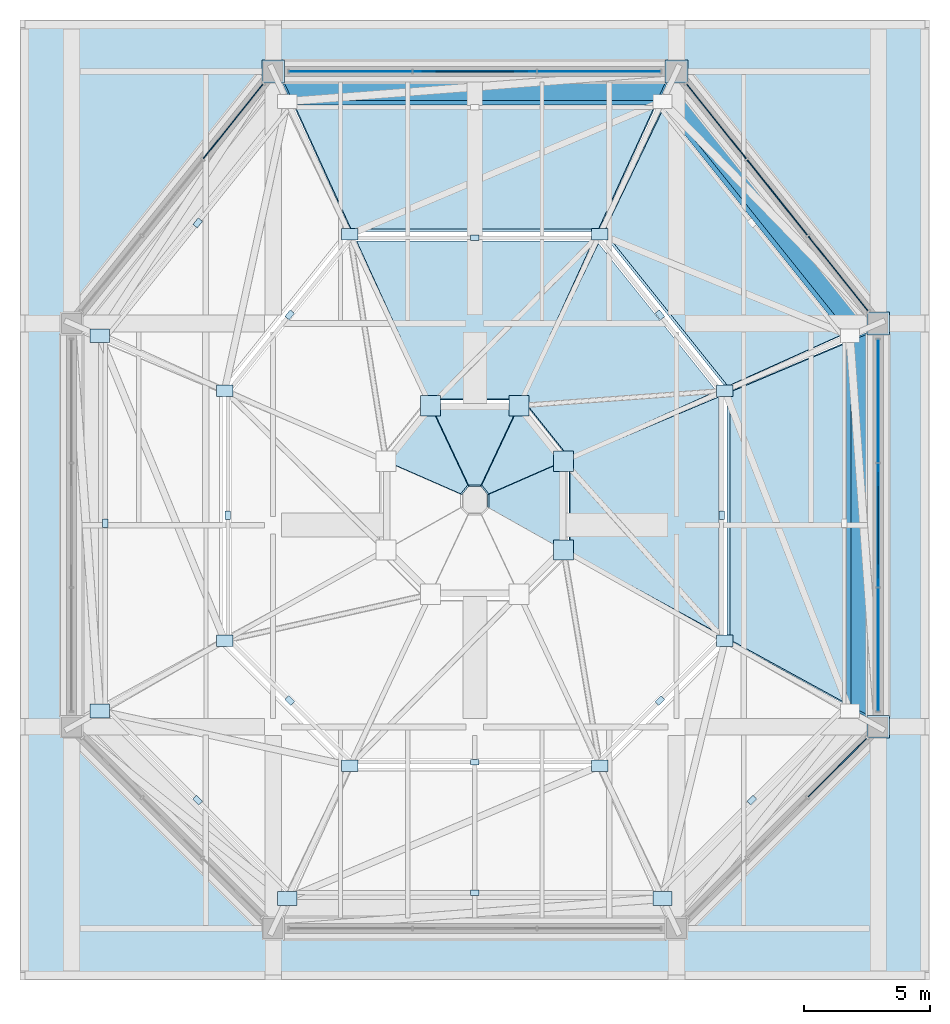
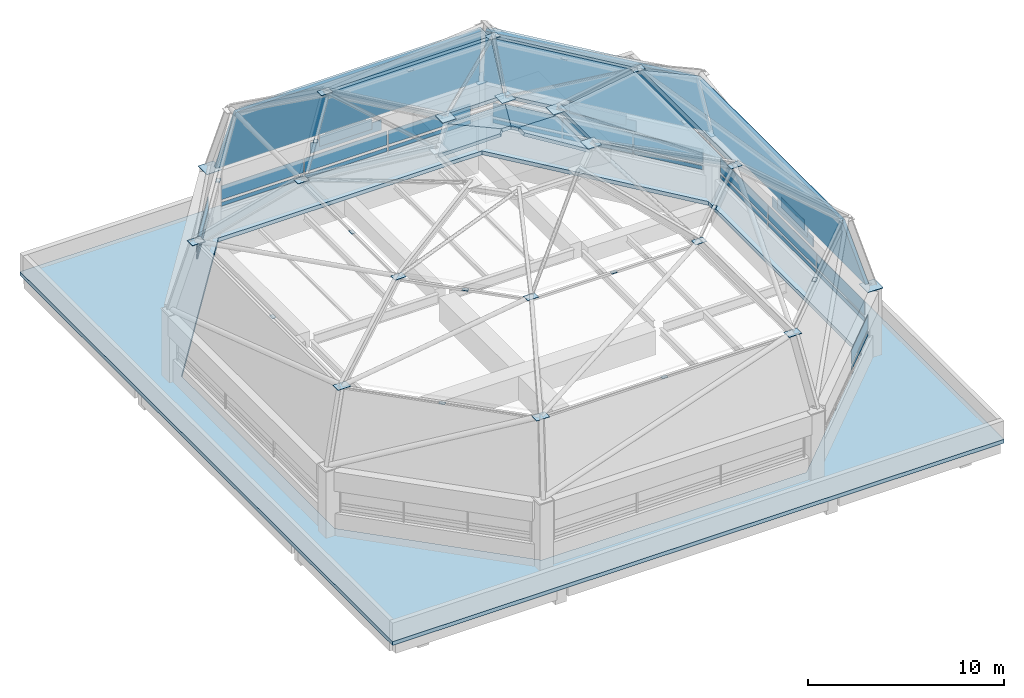
# One storey, part 9 of 10: 64 plates, 14 slabs, 5 elements without a shape of their own.
"""IFC4 building model written with IfcOpenShell, lengths in metres."""

from ifc_helpers import new_model, si_unit, direction, frame, origin, origin_2d, place, context, subcontext, project, spatial, polyline, rectangle, outline, extrude, material, layer, layer_set, type_object, element, aggregate, save


model = new_model("IFC4")

# Units and contexts
model_context = context("Model", 3, precision=1e-05, world=origin(), true_north=direction((0.0, 1.0)))
body_context = subcontext(model_context, "Body", "Model", "MODEL_VIEW")
ifc_project = project(units=[si_unit("LENGTHUNIT", "METRE"), si_unit("AREAUNIT", "SQUARE_METRE"), si_unit("VOLUMEUNIT", "CUBIC_METRE"), si_unit("PLANEANGLEUNIT", "RADIAN"), si_unit("MASSUNIT", "GRAM", prefix="KILO")], contexts=[model_context])

# Site, building, storey
site_placement = place(None, origin())
site = spatial("IfcSite", under=ifc_project, at=site_placement, CompositionType="ELEMENT")
building_placement = place(site_placement, origin())
building = spatial("IfcBuilding", under=site, at=building_placement, Name="Pecanmere Concourse Central Library", CompositionType="ELEMENT")
storey_placement = place(building_placement, frame((0.0, 0.0, 34.800048828125)))
storey = spatial("IfcBuildingStorey", under=building, at=storey_placement, Name="ROOF", CompositionType="ELEMENT", Elevation=34.800048828125)

# Curtain wall, plates
ifc_material_1 = material(Name="Anodized bronze aluminium alloy 6063-T6", Category="aluminium")
curtain_wall_type = type_object("IfcCurtainWallType", Name="CW_PORTAL_CLEAR", PredefinedType="USERDEFINED", material=ifc_material_1)
curtain_wall_1_placement = place(storey_placement, origin())
curtain_wall_1 = element("IfcCurtainWall", 1, at=curtain_wall_1_placement, inside=storey, type_object=curtain_wall_type, Name="Unitised Curtain Wall CW-03 ROOF-174", ObjectType="UNITISED CURTAIN WALL", PredefinedType="USERDEFINED")
ifc_material_2 = material(Name="White ceramic-fritted insulated spandrel glazing", Category="glass")
ifc_layer_1 = layer(ifc_material_2, 0.053955078125, Name="CWP_SPN_54")
ifc_layer_set_1 = layer_set([ifc_layer_1], Name="White ceramic-fritted insulated spandrel glazing")
plate_type_1 = type_object("IfcPlateType", Name="CWP_SPN_54", PredefinedType="CURTAIN_PANEL", material=ifc_layer_set_1)
plate_1_placement = place(storey_placement, frame((102.3818359375, 96.3818359375, 1.580078125), z_axis=(0.0, 0.0, 1.0), x_axis=(0.707106781187, 0.707106781187, 0.0)))
plate_1 = element("IfcPlate", 2, at=plate_1_placement, type_object=plate_type_1, Name="CW-03 Spandrel Panel 3.1", PredefinedType="CURTAIN_PANEL", context=body_context, shape_type="SweptSolid", body=[
    extrude(rectangle(XDim=3.287109375, YDim=0.035888671875, at=origin_2d()), origin(), (0.0, 0.0, 1.0), 0.239990234375),
])
plate_2_placement = place(storey_placement, frame((102.3818359375, 96.3818359375, 1.97998046875), z_axis=(0.0, 0.0, 1.0), x_axis=(0.707106781187, 0.707106781187, 0.0)))
plate_2 = element("IfcPlate", 3, at=plate_2_placement, type_object=plate_type_1, Name="CW-03 Spandrel Panel 3.2", PredefinedType="CURTAIN_PANEL", context=body_context, shape_type="SweptSolid", body=[
    extrude(rectangle(XDim=3.287109375, YDim=0.035888671875, at=origin_2d()), origin(), (0.0, 0.0, 1.0), 0.860107421875),
])
aggregate(curtain_wall_1, [plate_1, plate_2])

curtain_wall_2_placement = place(storey_placement, origin())
curtain_wall_2 = element("IfcCurtainWall", 4, at=curtain_wall_2_placement, inside=storey, type_object=curtain_wall_type, Name="Unitised Curtain Wall CW-03 ROOF-175", ObjectType="UNITISED CURTAIN WALL", PredefinedType="USERDEFINED")
plate_3_placement = place(storey_placement, frame((104.0, 101.069580078125, 1.580078125), z_axis=(0.0, 0.0, 1.0), x_axis=(0.0, 1.0, 0.0)))
plate_3 = element("IfcPlate", 5, at=plate_3_placement, type_object=plate_type_1, Name="CW-03 Spandrel Panel 1.1", PredefinedType="CURTAIN_PANEL", context=body_context, shape_type="SweptSolid", body=[
    extrude(rectangle(XDim=4.84912109375, YDim=0.035888671875, at=origin_2d()), origin(), (0.0, 0.0, 1.0), 0.239990234375),
])
plate_4_placement = place(storey_placement, frame((104.0, 101.069580078125, 1.97998046875), z_axis=(0.0, 0.0, 1.0), x_axis=(0.0, 1.0, 0.0)))
plate_4 = element("IfcPlate", 6, at=plate_4_placement, type_object=plate_type_1, Name="CW-03 Spandrel Panel 1.2", PredefinedType="CURTAIN_PANEL", context=body_context, shape_type="SweptSolid", body=[
    extrude(rectangle(XDim=4.84912109375, YDim=0.035888671875, at=origin_2d()), origin(), (0.0, 0.0, 1.0), 0.860107421875),
])
plate_5_placement = place(storey_placement, frame((104.0, 106.0, 1.580078125), z_axis=(0.0, 0.0, 1.0), x_axis=(0.0, 1.0, 0.0)))
plate_5 = element("IfcPlate", 7, at=plate_5_placement, type_object=plate_type_1, Name="CW-03 Spandrel Panel 2.1", PredefinedType="CURTAIN_PANEL", context=body_context, shape_type="SweptSolid", body=[
    extrude(rectangle(XDim=4.881591796875, YDim=0.035888671875, at=origin_2d()), origin(), (0.0, 0.0, 1.0), 0.239990234375),
])
plate_6_placement = place(storey_placement, frame((104.0, 106.0, 1.97998046875), z_axis=(0.0, 0.0, 1.0), x_axis=(0.0, 1.0, 0.0)))
plate_6 = element("IfcPlate", 8, at=plate_6_placement, type_object=plate_type_1, Name="CW-03 Spandrel Panel 2.2", PredefinedType="CURTAIN_PANEL", context=body_context, shape_type="SweptSolid", body=[
    extrude(rectangle(XDim=4.881591796875, YDim=0.035888671875, at=origin_2d()), origin(), (0.0, 0.0, 1.0), 0.860107421875),
])
plate_7_placement = place(storey_placement, frame((104.0, 110.930419921875, 1.580078125), z_axis=(0.0, 0.0, 1.0), x_axis=(0.0, 1.0, 0.0)))
plate_7 = element("IfcPlate", 9, at=plate_7_placement, type_object=plate_type_1, Name="CW-03 Spandrel Panel 3.1", PredefinedType="CURTAIN_PANEL", context=body_context, shape_type="SweptSolid", body=[
    extrude(rectangle(XDim=4.84912109375, YDim=0.035888671875, at=origin_2d()), origin(), (0.0, 0.0, 1.0), 0.239990234375),
])
plate_8_placement = place(storey_placement, frame((104.0, 110.930419921875, 1.97998046875), z_axis=(0.0, 0.0, 1.0), x_axis=(0.0, 1.0, 0.0)))
plate_8 = element("IfcPlate", 10, at=plate_8_placement, type_object=plate_type_1, Name="CW-03 Spandrel Panel 3.2", PredefinedType="CURTAIN_PANEL", context=body_context, shape_type="SweptSolid", body=[
    extrude(rectangle(XDim=4.84912109375, YDim=0.035888671875, at=origin_2d()), origin(), (0.0, 0.0, 1.0), 0.860107421875),
])
aggregate(curtain_wall_2, [plate_3, plate_4, plate_5, plate_6, plate_7, plate_8])

curtain_wall_3_placement = place(storey_placement, origin())
curtain_wall_3 = element("IfcCurtainWall", 11, at=curtain_wall_3_placement, inside=storey, type_object=curtain_wall_type, Name="Unitised Curtain Wall CW-03 ROOF-176", ObjectType="UNITISED CURTAIN WALL", PredefinedType="USERDEFINED")
plate_9_placement = place(storey_placement, frame((102.4150390625, 115.981201171875, 1.580078125), z_axis=(0.0, 0.0, 1.0), x_axis=(-0.62469714181, 0.780867134034, 0.0)))
plate_9 = element("IfcPlate", 12, at=plate_9_placement, type_object=plate_type_1, Name="CW-03 Spandrel Panel 1.1", PredefinedType="CURTAIN_PANEL", context=body_context, shape_type="SweptSolid", body=[
    extrude(rectangle(XDim=3.78466796875, YDim=0.035888671875, at=origin_2d()), origin(), (0.0, 0.0, 1.0), 0.239990234375),
])
plate_10_placement = place(storey_placement, frame((102.4150390625, 115.981201171875, 1.97998046875), z_axis=(0.0, 0.0, 1.0), x_axis=(-0.62469714181, 0.780867134034, 0.0)))
plate_10 = element("IfcPlate", 13, at=plate_10_placement, type_object=plate_type_1, Name="CW-03 Spandrel Panel 1.2", PredefinedType="CURTAIN_PANEL", context=body_context, shape_type="SweptSolid", body=[
    extrude(rectangle(XDim=3.78466796875, YDim=0.035888671875, at=origin_2d()), origin(), (0.0, 0.0, 1.0), 0.860107421875),
])
plate_11_placement = place(storey_placement, frame((100.0, 119.0, 1.580078125), z_axis=(0.0, 0.0, 1.0), x_axis=(-0.62469714181, 0.780867134034, 0.0)))
plate_11 = element("IfcPlate", 14, at=plate_11_placement, type_object=plate_type_1, Name="CW-03 Spandrel Panel 2.1", PredefinedType="CURTAIN_PANEL", context=body_context, shape_type="SweptSolid", body=[
    extrude(rectangle(XDim=3.817138671875, YDim=0.035888671875, at=origin_2d()), origin(), (0.0, 0.0, 1.0), 0.239990234375),
])
plate_12_placement = place(storey_placement, frame((100.0, 119.0, 1.97998046875), z_axis=(0.0, 0.0, 1.0), x_axis=(-0.62469714181, 0.780867134034, 0.0)))
plate_12 = element("IfcPlate", 15, at=plate_12_placement, type_object=plate_type_1, Name="CW-03 Spandrel Panel 2.2", PredefinedType="CURTAIN_PANEL", context=body_context, shape_type="SweptSolid", body=[
    extrude(rectangle(XDim=3.817138671875, YDim=0.035888671875, at=origin_2d()), origin(), (0.0, 0.0, 1.0), 0.860107421875),
])
plate_13_placement = place(storey_placement, frame((97.5849609375, 122.018798828125, 1.580078125), z_axis=(0.0, 0.0, 1.0), x_axis=(-0.62469714181, 0.780867134034, 0.0)))
plate_13 = element("IfcPlate", 16, at=plate_13_placement, type_object=plate_type_1, Name="CW-03 Spandrel Panel 3.1", PredefinedType="CURTAIN_PANEL", context=body_context, shape_type="SweptSolid", body=[
    extrude(rectangle(XDim=3.78466796875, YDim=0.035888671875, at=origin_2d()), origin(), (0.0, 0.0, 1.0), 0.239990234375),
])
plate_14_placement = place(storey_placement, frame((97.5849609375, 122.018798828125, 1.97998046875), z_axis=(0.0, 0.0, 1.0), x_axis=(-0.62469714181, 0.780867134034, 0.0)))
plate_14 = element("IfcPlate", 17, at=plate_14_placement, type_object=plate_type_1, Name="CW-03 Spandrel Panel 3.2", PredefinedType="CURTAIN_PANEL", context=body_context, shape_type="SweptSolid", body=[
    extrude(rectangle(XDim=3.78466796875, YDim=0.035888671875, at=origin_2d()), origin(), (0.0, 0.0, 1.0), 0.860107421875),
])
aggregate(curtain_wall_3, [plate_9, plate_10, plate_11, plate_12, plate_13, plate_14])

curtain_wall_4_placement = place(storey_placement, origin())
curtain_wall_4 = element("IfcCurtainWall", 18, at=curtain_wall_4_placement, inside=storey, type_object=curtain_wall_type, Name="Unitised Curtain Wall CW-03 ROOF-177", ObjectType="UNITISED CURTAIN WALL", PredefinedType="USERDEFINED")
plate_15_placement = place(storey_placement, frame((92.930419921875, 124.0, 1.580078125), z_axis=(0.0, 0.0, 1.0), x_axis=(-1.0, 0.0, 0.0)))
plate_15 = element("IfcPlate", 19, at=plate_15_placement, type_object=plate_type_1, Name="CW-03 Spandrel Panel 1.1", PredefinedType="CURTAIN_PANEL", context=body_context, shape_type="SweptSolid", body=[
    extrude(rectangle(XDim=4.84912109375, YDim=0.035888671875, at=origin_2d()), origin(), (0.0, 0.0, 1.0), 0.239990234375),
])
plate_16_placement = place(storey_placement, frame((92.930419921875, 124.0, 1.97998046875), z_axis=(0.0, 0.0, 1.0), x_axis=(-1.0, 0.0, 0.0)))
plate_16 = element("IfcPlate", 20, at=plate_16_placement, type_object=plate_type_1, Name="CW-03 Spandrel Panel 1.2", PredefinedType="CURTAIN_PANEL", context=body_context, shape_type="SweptSolid", body=[
    extrude(rectangle(XDim=4.84912109375, YDim=0.035888671875, at=origin_2d()), origin(), (0.0, 0.0, 1.0), 0.860107421875),
])
plate_17_placement = place(storey_placement, frame((88.0, 124.0, 1.580078125), z_axis=(0.0, 0.0, 1.0), x_axis=(-1.0, 0.0, 0.0)))
plate_17 = element("IfcPlate", 21, at=plate_17_placement, type_object=plate_type_1, Name="CW-03 Spandrel Panel 2.1", PredefinedType="CURTAIN_PANEL", context=body_context, shape_type="SweptSolid", body=[
    extrude(rectangle(XDim=4.881591796875, YDim=0.035888671875, at=origin_2d()), origin(), (0.0, 0.0, 1.0), 0.239990234375),
])
plate_18_placement = place(storey_placement, frame((88.0, 124.0, 1.97998046875), z_axis=(0.0, 0.0, 1.0), x_axis=(-1.0, 0.0, 0.0)))
plate_18 = element("IfcPlate", 22, at=plate_18_placement, type_object=plate_type_1, Name="CW-03 Spandrel Panel 2.2", PredefinedType="CURTAIN_PANEL", context=body_context, shape_type="SweptSolid", body=[
    extrude(rectangle(XDim=4.881591796875, YDim=0.035888671875, at=origin_2d()), origin(), (0.0, 0.0, 1.0), 0.860107421875),
])
plate_19_placement = place(storey_placement, frame((83.069580078125, 124.0, 1.580078125), z_axis=(0.0, 0.0, 1.0), x_axis=(-1.0, 0.0, 0.0)))
plate_19 = element("IfcPlate", 23, at=plate_19_placement, type_object=plate_type_1, Name="CW-03 Spandrel Panel 3.1", PredefinedType="CURTAIN_PANEL", context=body_context, shape_type="SweptSolid", body=[
    extrude(rectangle(XDim=4.84912109375, YDim=0.035888671875, at=origin_2d()), origin(), (0.0, 0.0, 1.0), 0.239990234375),
])
plate_20_placement = place(storey_placement, frame((83.069580078125, 124.0, 1.97998046875), z_axis=(0.0, 0.0, 1.0), x_axis=(-1.0, 0.0, 0.0)))
plate_20 = element("IfcPlate", 24, at=plate_20_placement, type_object=plate_type_1, Name="CW-03 Spandrel Panel 3.2", PredefinedType="CURTAIN_PANEL", context=body_context, shape_type="SweptSolid", body=[
    extrude(rectangle(XDim=4.84912109375, YDim=0.035888671875, at=origin_2d()), origin(), (0.0, 0.0, 1.0), 0.860107421875),
])
aggregate(curtain_wall_4, [plate_15, plate_16, plate_17, plate_18, plate_19, plate_20])

curtain_wall_5_placement = place(storey_placement, origin())
curtain_wall_5 = element("IfcCurtainWall", 25, at=curtain_wall_5_placement, inside=storey, type_object=curtain_wall_type, Name="Unitised Curtain Wall CW-03 ROOF-178", ObjectType="UNITISED CURTAIN WALL", PredefinedType="USERDEFINED")
plate_21_placement = place(storey_placement, frame((78.4150390625, 122.018798828125, 1.580078125), z_axis=(0.0, 0.0, 1.0), x_axis=(-0.62469714181, -0.780867134034, 0.0)))
plate_21 = element("IfcPlate", 26, at=plate_21_placement, type_object=plate_type_1, Name="CW-03 Spandrel Panel 1.1", PredefinedType="CURTAIN_PANEL", context=body_context, shape_type="SweptSolid", body=[
    extrude(rectangle(XDim=3.78466796875, YDim=0.035888671875, at=origin_2d()), origin(), (0.0, 0.0, 1.0), 0.239990234375),
])
plate_22_placement = place(storey_placement, frame((78.4150390625, 122.018798828125, 1.97998046875), z_axis=(0.0, 0.0, 1.0), x_axis=(-0.62469714181, -0.780867134034, 0.0)))
plate_22 = element("IfcPlate", 27, at=plate_22_placement, type_object=plate_type_1, Name="CW-03 Spandrel Panel 1.2", PredefinedType="CURTAIN_PANEL", context=body_context, shape_type="SweptSolid", body=[
    extrude(rectangle(XDim=3.78466796875, YDim=0.035888671875, at=origin_2d()), origin(), (0.0, 0.0, 1.0), 0.860107421875),
])
aggregate(curtain_wall_5, [plate_21, plate_22])

# Plates
ifc_material_3 = material(Name="Architectural standing-seam copper")
ifc_layer_2 = layer(ifc_material_3, 0.044921875, Name="PLT_DOME_COPPER_1")
ifc_layer_set_2 = layer_set([ifc_layer_2], Name="Architectural standing-seam copper")
plate_type_2 = type_object("IfcPlateType", Name="PLT_DOME_COPPER_1", PredefinedType="USERDEFINED", material=ifc_layer_set_2)
for number, where, z_axis, x_axis, name in (
    (28, (104.0, 106.0, 3.02490234375), (0.0, 0.0, 1.0), (0.0, 1.0, 0.0), "Drum Copper Frieze Panel 0.3"),
    (29, (100.0, 119.0, 3.02490234375), (0.0, 0.0, 1.0), (-0.624697660804, 0.780866718836, 0.0), "Drum Copper Frieze Panel 0.4"),
    (30, (88.0, 124.0, 3.02490234375), (0.0, 0.0, 1.0), (-1.0, 0.0, 0.0), "Drum Copper Frieze Panel 0.5"),
):
    element("IfcPlate", number, at=place(storey_placement, frame(where, z_axis=z_axis, x_axis=x_axis)), inside=storey, type_object=plate_type_2, Name=name, ObjectType="ROOF PANEL", PredefinedType="USERDEFINED", context=body_context, shape_type="SweptSolid", body=[
        extrude(rectangle(XDim=4.199951171875, YDim=0.044921875, at=origin_2d()), origin(), (0.0, 0.0, 1.0), 0.64990234375),
    ])
ifc_material_4 = material(Name="Architectural standing-seam copper")
ifc_layer_3 = layer(ifc_material_4, 0.044921875, Name="PLT_DOME_COPPER_2")
ifc_layer_set_3 = layer_set([ifc_layer_3], Name="Architectural standing-seam copper")
plate_type_3 = type_object("IfcPlateType", Name="PLT_DOME_COPPER_2", PredefinedType="USERDEFINED", material=ifc_layer_set_3)
for number, where, z_axis, x_axis, name in (
    (31, (104.0, 106.0, 3.27490234375), (0.0, 0.0, 1.0), (0.0, 1.0, 0.0), "Drum Copper Frieze Panel 1.3"),
    (32, (100.0, 119.0, 3.27490234375), (0.0, 0.0, 1.0), (-0.624697660804, 0.780866718836, 0.0), "Drum Copper Frieze Panel 1.4"),
    (33, (88.0, 124.0, 3.27490234375), (0.0, 0.0, 1.0), (-1.0, 0.0, 0.0), "Drum Copper Frieze Panel 1.5"),
):
    element("IfcPlate", number, at=place(storey_placement, frame(where, z_axis=z_axis, x_axis=x_axis)), inside=storey, type_object=plate_type_3, Name=name, ObjectType="ROOF PANEL", PredefinedType="USERDEFINED", context=body_context, shape_type="SweptSolid", body=[
        extrude(rectangle(XDim=3.10009765625, YDim=0.044921875, at=origin_2d()), origin(), (0.0, 0.0, 1.0), 0.64990234375),
    ])
ifc_material_5 = material(Name="Architectural standing-seam copper")
ifc_layer_4 = layer(ifc_material_5, 0.0400390625, Name="PLT_DOME_COPPER_3")
ifc_layer_set_4 = layer_set([ifc_layer_4], Name="Architectural standing-seam copper")
plate_type_4 = type_object("IfcPlateType", Name="PLT_DOME_COPPER_3", PredefinedType="USERDEFINED", material=ifc_layer_set_4)
for number, where, z_axis, x_axis, name in (
    (34, (104.0, 106.0, 3.52490234375), (0.0, 0.0, 1.0), (0.0, 1.0, 0.0), "Drum Copper Frieze Panel 2.3"),
    (35, (100.0, 119.0, 3.52490234375), (0.0, 0.0, 1.0), (-0.624697660804, 0.780866718836, 0.0), "Drum Copper Frieze Panel 2.4"),
    (36, (88.0, 124.0, 3.52490234375), (0.0, 0.0, 1.0), (-1.0, 0.0, 0.0), "Drum Copper Frieze Panel 2.5"),
):
    element("IfcPlate", number, at=place(storey_placement, frame(where, z_axis=z_axis, x_axis=x_axis)), inside=storey, type_object=plate_type_4, Name=name, ObjectType="ROOF PANEL", PredefinedType="USERDEFINED", context=body_context, shape_type="SweptSolid", body=[
        extrude(rectangle(XDim=2.39990234375, YDim=0.0400390625, at=origin_2d()), origin(), (0.0, 0.0, 1.0), 0.64990234375),
    ])
ifc_material_6 = material(Name="Structural steel ASTM A572 Grade 50", Category="steel")
ifc_layer_5 = layer(ifc_material_6, 0.031982421875, Name="PLT_DOME_NODE_1")
ifc_layer_set_5 = layer_set([ifc_layer_5], Name="Structural steel ASTM A572 Grade 50")
plate_type_5 = type_object("IfcPlateType", Name="PLT_DOME_NODE_1", PredefinedType="SHEET", material=ifc_layer_set_5)
for number, where, z_axis, x_axis, name in (
    (37, (104.0, 98.0, 4.16796875), (0.0, 0.0, 1.0), (1.0, 0.0, 0.0), "Dome Rib Node Connection Plate 3.0"),
    (38, (104.0, 114.0, 4.16796875), (0.0, 0.0, 1.0), (1.0, 0.0, 0.0), "Dome Rib Node Connection Plate 4.0"),
    (39, (96.0, 124.0, 4.16796875), (0.0, 0.0, 1.0), (1.0, 0.0, 0.0), "Dome Rib Node Connection Plate 5.0"),
    (40, (80.0, 124.0, 4.16796875), (0.0, 0.0, 1.0), (1.0, 0.0, 0.0), "Dome Rib Node Connection Plate 6.0"),
):
    element("IfcPlate", number, at=place(storey_placement, frame(where, z_axis=z_axis, x_axis=x_axis)), inside=storey, type_object=plate_type_5, Name=name, PredefinedType="SHEET", context=body_context, shape_type="SweptSolid", body=[
        extrude(rectangle(XDim=0.89990234375, YDim=0.89990234375, at=origin_2d()), origin(), (0.0, 0.0, 1.0), 0.031982421875),
    ])
ifc_material_7 = material(Name="Structural steel ASTM A572 Grade 50", Category="steel")
ifc_layer_6 = layer(ifc_material_7, 0.028076171875, Name="PLT_DOME_NODE_2")
ifc_layer_set_6 = layer_set([ifc_layer_6], Name="Structural steel ASTM A572 Grade 50")
plate_type_6 = type_object("IfcPlateType", Name="PLT_DOME_NODE_2", PredefinedType="SHEET", material=ifc_layer_set_6)
for number, where, z_axis, x_axis, name in (
    (41, (80.56005859375, 91.18994140625, 8.3720703125), (0.0, 0.0, 1.0), (1.0, 0.0, 0.0), "Dome Rib Node Connection Plate 1.1"),
    (42, (95.43994140625, 91.18994140625, 8.3720703125), (0.0, 0.0, 1.0), (1.0, 0.0, 0.0), "Dome Rib Node Connection Plate 2.1"),
    (43, (73.1201171875, 113.510009765625, 8.3720703125), (0.0, 0.0, 1.0), (1.0, 0.0, 0.0), "Dome Rib Node Connection Plate 7.1"),
    (44, (73.1201171875, 98.6298828125, 8.3720703125), (0.0, 0.0, 1.0), (1.0, 0.0, 0.0), "Dome Rib Node Connection Plate 8.1"),
):
    element("IfcPlate", number, at=place(storey_placement, frame(where, z_axis=z_axis, x_axis=x_axis)), inside=storey, type_object=plate_type_6, Name=name, PredefinedType="SHEET", context=body_context, shape_type="SweptSolid", body=[
        extrude(rectangle(XDim=0.760009765625, YDim=0.5400390625, at=origin_2d()), origin(), (0.0, 0.0, 1.0), 0.028076171875),
    ])
ifc_material_8 = material(Name="Structural steel ASTM A572 Grade 50", Category="steel")
ifc_layer_7 = layer(ifc_material_8, 0.02490234375, Name="PLT_DOME_NODE_3")
ifc_layer_set_7 = layer_set([ifc_layer_7], Name="Structural steel ASTM A572 Grade 50")
plate_type_7 = type_object("IfcPlateType", Name="PLT_DOME_NODE_3", PredefinedType="SHEET", material=ifc_layer_set_7)
for number, where, z_axis, x_axis, name in (
    (45, (83.0400390625, 96.4599609375, 11.77490234375), (0.0, 0.0, 1.0), (1.0, 0.0, 0.0), "Dome Rib Node Connection Plate 1.2"),
    (46, (92.9599609375, 96.4599609375, 11.77490234375), (0.0, 0.0, 1.0), (1.0, 0.0, 0.0), "Dome Rib Node Connection Plate 2.2"),
    (47, (97.919921875, 101.419921875, 11.77490234375), (0.0, 0.0, 1.0), (1.0, 0.0, 0.0), "Dome Rib Node Connection Plate 3.2"),
    (48, (97.919921875, 111.340087890625, 11.77490234375), (0.0, 0.0, 1.0), (1.0, 0.0, 0.0), "Dome Rib Node Connection Plate 4.2"),
    (49, (92.9599609375, 117.5400390625, 11.77490234375), (0.0, 0.0, 1.0), (1.0, 0.0, 0.0), "Dome Rib Node Connection Plate 5.2"),
    (50, (83.0400390625, 117.5400390625, 11.77490234375), (0.0, 0.0, 1.0), (1.0, 0.0, 0.0), "Dome Rib Node Connection Plate 6.2"),
    (51, (78.080078125, 111.340087890625, 11.77490234375), (0.0, 0.0, 1.0), (1.0, 0.0, 0.0), "Dome Rib Node Connection Plate 7.2"),
    (52, (78.080078125, 101.419921875, 11.77490234375), (0.0, 0.0, 1.0), (1.0, 0.0, 0.0), "Dome Rib Node Connection Plate 8.2"),
):
    element("IfcPlate", number, at=place(storey_placement, frame(where, z_axis=z_axis, x_axis=x_axis)), inside=storey, type_object=plate_type_7, Name=name, PredefinedType="SHEET", context=body_context, shape_type="SweptSolid", body=[
        extrude(rectangle(XDim=0.659912109375, YDim=0.4599609375, at=origin_2d()), origin(), (0.0, 0.0, 1.0), 0.02490234375),
    ])
ifc_material_9 = material(Name="Structural steel ASTM A572 Grade 50", Category="steel")
ifc_layer_8 = layer(ifc_material_9, 0.035888671875, Name="PLT_DOME_OCULUS")
ifc_layer_set_8 = layer_set([ifc_layer_8], Name="Structural steel ASTM A572 Grade 50")
plate_type_8 = type_object("IfcPlateType", Name="PLT_DOME_OCULUS", PredefinedType="SHEET", material=ifc_layer_set_8)
for number, where, z_axis, x_axis, name in (
    (53, (91.52001953125, 105.02001953125, 13.18408203125), (0.0, 0.0, 1.0), (1.0, 0.0, 0.0), "Dome Rib Node Connection Plate 3.3"),
    (54, (91.52001953125, 108.5400390625, 13.18408203125), (0.0, 0.0, 1.0), (1.0, 0.0, 0.0), "Dome Rib Node Connection Plate 4.3"),
    (55, (89.760009765625, 110.739990234375, 13.18408203125), (0.0, 0.0, 1.0), (1.0, 0.0, 0.0), "Dome Rib Node Connection Plate 5.3"),
    (56, (86.239990234375, 110.739990234375, 13.18408203125), (0.0, 0.0, 1.0), (1.0, 0.0, 0.0), "Dome Rib Node Connection Plate 6.3"),
):
    element("IfcPlate", number, at=place(storey_placement, frame(where, z_axis=z_axis, x_axis=x_axis)), inside=storey, type_object=plate_type_8, Name=name, PredefinedType="SHEET", context=body_context, shape_type="SweptSolid", body=[
        extrude(rectangle(XDim=0.800048828125, YDim=0.800048828125, at=origin_2d()), origin(), (0.0, 0.0, 1.0), 0.035888671875),
    ])
ifc_material_10 = material(Name="Structural steel ASTM A572 Grade 50", Category="steel")
ifc_layer_9 = layer(ifc_material_10, 0.02001953125, Name="PLT_HSS_ENDCAP")
ifc_layer_set_9 = layer_set([ifc_layer_9], Name="Structural steel ASTM A572 Grade 50")
plate_type_9 = type_object("IfcPlateType", Name="PLT_HSS_ENDCAP", PredefinedType="SHEET", material=ifc_layer_set_9)
for number, where, z_axis, x_axis, name in (
    (57, (88.0, 91.427978515625, 8.08984375), (0.0, 0.0, 1.0), (1.0, 0.0, 0.0), "HSS Purlin Closure Cap Plate 1.1"),
    (58, (88.0, 96.595947265625, 11.489990234375), (0.0, 0.0, 1.0), (1.0, 0.0, 0.0), "HSS Purlin Closure Cap Plate 2.1"),
    (59, (98.991943359375, 95.092041015625, 8.08984375), (0.0, 0.0, 1.0), (0.707106781187, 0.707106781187, 0.0), "HSS Purlin Closure Cap Plate 1.2"),
    (60, (95.343994140625, 99.0439453125, 11.489990234375), (0.0, 0.0, 1.0), (0.707106781187, 0.707106781187, 0.0), "HSS Purlin Closure Cap Plate 2.2"),
    (61, (97.7919921875, 106.387939453125, 11.489990234375), (0.0, 0.0, 1.0), (0.0, 1.0, 0.0), "HSS Purlin Closure Cap Plate 2.3"),
    (62, (95.343994140625, 114.343994140625, 11.489990234375), (0.0, 0.0, 1.0), (-0.624697660804, 0.780866718836, 0.0), "HSS Purlin Closure Cap Plate 2.4"),
    (63, (88.0, 117.404052734375, 11.489990234375), (0.0, 0.0, 1.0), (-1.0, 0.0, 0.0), "HSS Purlin Closure Cap Plate 2.5"),
    (64, (77.008056640625, 117.991943359375, 8.08984375), (0.0, 0.0, 1.0), (-0.624697660804, -0.780866718836, 0.0), "HSS Purlin Closure Cap Plate 1.6"),
    (65, (80.656005859375, 114.343994140625, 11.489990234375), (0.0, 0.0, 1.0), (-0.624697660804, -0.780866718836, 0.0), "HSS Purlin Closure Cap Plate 2.6"),
    (66, (73.343994140625, 106.083984375, 8.08984375), (0.0, 0.0, 1.0), (0.0, -1.0, 0.0), "HSS Purlin Closure Cap Plate 1.7"),
    (67, (78.2080078125, 106.387939453125, 11.489990234375), (0.0, 0.0, 1.0), (0.0, -1.0, 0.0), "HSS Purlin Closure Cap Plate 2.7"),
    (68, (77.008056640625, 95.092041015625, 8.08984375), (0.0, 0.0, 1.0), (0.707106781187, -0.707106781187, 0.0), "HSS Purlin Closure Cap Plate 1.8"),
    (69, (80.656005859375, 99.0439453125, 11.489990234375), (0.0, 0.0, 1.0), (0.707106781187, -0.707106781187, 0.0), "HSS Purlin Closure Cap Plate 2.8"),
):
    element("IfcPlate", number, at=place(storey_placement, frame(where, z_axis=z_axis, x_axis=x_axis)), inside=storey, type_object=plate_type_9, Name=name, PredefinedType="SHEET", context=body_context, shape_type="SweptSolid", body=[
        extrude(rectangle(XDim=0.340087890625, YDim=0.219970703125, at=origin_2d()), origin(), (0.0, 0.0, 1.0), 0.02001953125),
    ])

# Slabs
ifc_material_11 = material(Name="Architectural standing-seam copper", Category="metal")
ifc_layer_10 = layer(ifc_material_11, 0.18994140625, Name="SLAB_OCULUS_CAP")
ifc_layer_set_10 = layer_set([ifc_layer_10], Name="Architectural standing-seam copper")
slab_type_1 = type_object("IfcSlabType", Name="SLAB_OCULUS_CAP", PredefinedType="ROOF", material=ifc_layer_set_10)
slab_1_placement = place(storey_placement, frame((91.488037109375, 105.0380859375, 12.820068359375), z_axis=(0.340351448133, 0.0, 0.940298299346), x_axis=(0.0, 1.0, 0.0)))
element("IfcSlab", 70, at=slab_1_placement, inside=storey, type_object=slab_type_1, Name="Dome Oculus Lantern Cap Facet 3", PredefinedType="ROOF", context=body_context, shape_type="SweptSolid", body=[
    extrude(outline(polyline([(0.0, 0.0), (3.48779296875, 0.0), (2.20703125, 3.1138826026384203), (1.64697265625, 3.1138826026384203), (0.0, 0.0)])), origin(), (0.0, 0.0, -1.0), 0.18994140625),
])
slab_2_placement = place(storey_placement, frame((91.488037109375, 108.52587890625, 12.820068359375), z_axis=(0.253585507915, 0.2028830885, 0.945797463824), x_axis=(-0.624697954914, 0.780866483471, -1.0843423e-05)))
element("IfcSlab", 71, at=slab_2_placement, inside=storey, type_object=slab_type_1, Name="Dome Oculus Lantern Cap Facet 4", PredefinedType="ROOF", context=body_context, shape_type="SweptSolid", body=[
    extrude(outline(polyline([(0.0, 0.0), (2.791987277173701, 2.220446049250313e-16), (1.277109412793616, 3.263449468049573), (0.8289867992436663, 3.263341282931468), (0.0, 0.0)])), origin(), (0.0, 0.0, -1.0), 0.18994140625),
])
slab_3_placement = place(storey_placement, frame((89.743896484375, 110.7060546875, 12.820068359375), z_axis=(0.0, 0.322460662263, 0.946582865518), x_axis=(-1.0, 0.0, 0.0)))
element("IfcSlab", 72, at=slab_3_placement, inside=storey, type_object=slab_type_1, Name="Dome Oculus Lantern Cap Facet 5", PredefinedType="ROOF", context=body_context, shape_type="SweptSolid", body=[
    extrude(outline(polyline([(0.0, 0.0), (3.48779296875, 0.0), (2.02392578125, 3.286647263228482), (1.4638671875, 3.286647263228482), (0.0, 0.0)])), origin(), (0.0, 0.0, -1.0), 0.18994140625),
])
slab_4_placement = place(storey_placement, frame((86.256103515625, 110.7060546875, 12.820068359375), z_axis=(-0.253585507915, 0.2028830885, 0.945797463824), x_axis=(-0.624697954914, -0.780866483471, 1.0843423e-05)))
element("IfcSlab", 73, at=slab_4_placement, inside=storey, type_object=slab_type_1, Name="Dome Oculus Lantern Cap Facet 6", PredefinedType="ROOF", context=body_context, shape_type="SweptSolid", body=[
    extrude(outline(polyline([(0.0, 0.0), (2.791987277173701, -2.220446049250313e-16), (1.9630004779300347, 3.2633412829314676), (1.514877864380085, 3.263449468049573), (0.0, 0.0)])), origin(), (0.0, 0.0, -1.0), 0.18994140625),
])
ifc_material_12 = material(Name="Concrete C35/45", Category="concrete")
ifc_layer_11 = layer(ifc_material_12, 0.18994140625, Name="SLAB_ROOF_190")
ifc_layer_set_11 = layer_set([ifc_layer_11], Name="Concrete C35/45")
slab_type_2 = type_object("IfcSlabType", Name="SLAB_ROOF_190", PredefinedType="ROOF", material=ifc_layer_set_11)
slab_5_placement = place(storey_placement, frame((104.0, 98.239990234375, 4.199951171875), z_axis=(0.966234939601, 0.0, 0.25766265056), x_axis=(0.0, 1.0, 0.0)))
element("IfcSlab", 74, at=slab_5_placement, inside=storey, type_object=slab_type_2, Name="Dome Copper Facet Roof Shell 0.3", PredefinedType="ROOF", context=body_context, shape_type="SweptSolid", body=[
    extrude(outline(polyline([(0.0, 0.0), (15.52001953125, 0.0), (15.065673828125, 4.172879965962472), (0.588623046875, 4.172879965962472), (0.0, 0.0)])), origin(), (0.0, 0.0, -1.0), 0.18994140625),
])
slab_6_placement = place(storey_placement, frame((102.681640625, 98.9619140625, 8.535888671875), z_axis=(0.565417723082, 0.0, 0.824804703202), x_axis=(0.0, 1.0, 0.0)))
element("IfcSlab", 75, at=slab_6_placement, inside=storey, type_object=slab_type_2, Name="Dome Copper Facet Roof Shell 1.3", PredefinedType="ROOF", context=body_context, shape_type="SweptSolid", body=[
    extrude(outline(polyline([(0.0, 0.0), (14.240966796875, 0.0), (12.31298828125, 5.53250048667123), (2.498291015625, 5.53250048667123), (0.0, 0.0)])), origin(), (0.0, 0.0, -1.0), 0.18994140625),
])
slab_7_placement = place(storey_placement, frame((97.6640625, 101.708984375, 11.856689453125), z_axis=(0.216600426634, 0.0, 0.976260341908), x_axis=(0.0, 1.0, 0.0)))
element("IfcSlab", 76, at=slab_7_placement, inside=storey, type_object=slab_type_2, Name="Dome Copper Facet Roof Shell 2.3", PredefinedType="ROOF", context=body_context, shape_type="SweptSolid", body=[
    extrude(outline(polyline([(0.0, 0.0), (9.3740234375, 0.0), (6.886474609375, 6.031366164319161), (3.2236328125, 6.031366164319161), (0.0, 0.0)])), origin(), (0.0, 0.0, -1.0), 0.18994140625),
])
slab_8_placement = place(storey_placement, frame((103.8798828125, 114.14990234375, 4.199951171875), z_axis=(0.751736762558, 0.601377663242, 0.27062288516), x_axis=(-0.624686747829, 0.780875449141, -3.914901e-06)))
element("IfcSlab", 77, at=slab_8_placement, inside=storey, type_object=slab_type_2, Name="Dome Copper Facet Roof Shell 0.4", PredefinedType="ROOF", context=body_context, shape_type="SweptSolid", body=[
    extrude(outline(polyline([(0.0, 0.0), (12.422067123602506, 0.0), (11.878862675465054, 4.188314026666699), (0.2912728392341667, 4.188216387876679), (0.0, 0.0)])), origin(), (0.0, 0.0, -1.0), 0.18994140625),
])
slab_9_placement = place(storey_placement, frame((102.571533203125, 113.560791015625, 8.535888671875), z_axis=(0.425697564666, 0.340556669238, 0.838333309892), x_axis=(-0.624690916539, 0.780872114235, -2.152468e-06)))
element("IfcSlab", 78, at=slab_9_placement, inside=storey, type_object=slab_type_2, Name="Dome Copper Facet Roof Shell 1.4", PredefinedType="ROOF", context=body_context, shape_type="SweptSolid", body=[
    extrude(outline(polyline([(0.0, 0.0), (11.3986256866546, 0.0), (9.092742815100298, 5.738140709355713), (1.2370043249621014, 5.738064686616094), (0.0, 0.0)])), origin(), (0.0, 0.0, -1.0), 0.18994140625),
])
slab_10_placement = place(storey_placement, frame((97.591552734375, 111.318603515625, 11.856689453125), z_axis=(0.160825105555, 0.128663939543, 0.978560614415), x_axis=(-0.624687931932, 0.780874501871, -4.99418e-06)))
element("IfcSlab", 79, at=slab_10_placement, inside=storey, type_object=slab_type_2, Name="Dome Copper Facet Roof Shell 2.4", PredefinedType="ROOF", context=body_context, shape_type="SweptSolid", body=[
    extrude(outline(polyline([(0.0, 0.0), (7.502974905554375, 0.0), (4.52756525954923, 6.3431016709038515), (1.5959519307152101, 6.342848648691034), (0.0, 0.0)])), origin(), (0.0, 0.0, -1.0), 0.18994140625),
])
slab_11_placement = place(storey_placement, frame((95.760009765625, 124.0, 4.199951171875), z_axis=(0.0, 0.962130546171, 0.272589090253), x_axis=(-1.0, 0.0, 0.0)))
element("IfcSlab", 80, at=slab_11_placement, inside=storey, type_object=slab_type_2, Name="Dome Copper Facet Roof Shell 0.5", PredefinedType="ROOF", context=body_context, shape_type="SweptSolid", body=[
    extrude(outline(polyline([(0.0, 0.0), (15.52001953125, 0.0), (14.99853515625, 4.190681231275776), (0.521484375, 4.190681231275776), (0.0, 0.0)])), origin(), (0.0, 0.0, -1.0), 0.18994140625),
])
slab_12_placement = place(storey_placement, frame((95.12060546875, 122.59912109375, 8.535888671875), z_axis=(0.0, 0.542149036243, 0.840282346894), x_axis=(-1.0, 0.0, 0.0)))
element("IfcSlab", 81, at=slab_12_placement, inside=storey, type_object=slab_type_2, Name="Dome Copper Facet Roof Shell 1.5", PredefinedType="ROOF", context=body_context, shape_type="SweptSolid", body=[
    extrude(outline(polyline([(0.0, 0.0), (14.2412109375, 0.0), (12.028076171875, 5.76995183797335), (2.213134765625, 5.76995183797335), (0.0, 0.0)])), origin(), (0.0, 0.0, -1.0), 0.18994140625),
])
slab_13_placement = place(storey_placement, frame((92.68701171875, 117.26806640625, 11.856689453125), z_axis=(0.0, 0.204410348584, 0.97888528919), x_axis=(-1.0, 0.0, 0.0)))
element("IfcSlab", 82, at=slab_13_placement, inside=storey, type_object=slab_type_2, Name="Dome Copper Facet Roof Shell 2.5", PredefinedType="ROOF", context=body_context, shape_type="SweptSolid", body=[
    extrude(outline(polyline([(0.0, 0.0), (9.3740234375, 0.0), (6.518310546875, 6.391048659852532), (2.855712890625, 6.391048659852532), (0.0, 0.0)])), origin(), (0.0, 0.0, -1.0), 0.18994140625),
])
ifc_material_13 = material(Name="Concrete C35/45", Category="concrete")
ifc_layer_12 = layer(ifc_material_13, 0.239990234375, Name="SLAB_ROOF_240")
ifc_layer_set_12 = layer_set([ifc_layer_12], Name="Concrete C35/45")
slab_type_3 = type_object("IfcSlabType", Name="SLAB_ROOF_240", PredefinedType="ROOF", material=ifc_layer_set_12)
slab_14_placement = place(storey_placement, frame((0.0, 0.0, -0.239990234375)))
element("IfcSlab", 83, at=slab_14_placement, inside=storey, type_object=slab_type_3, Name="V1 Main Perimeter Roof Deck", PredefinedType="ROOF", context=body_context, shape_type="SweptSolid", body=[
    extrude(outline(polyline([(69.95849609375, 87.95849609375), (69.95849609375, 126.04150390625), (106.04150390625, 126.04150390625), (106.04150390625, 87.95849609375), (69.95849609375, 87.95849609375)]), holes=[polyline([(95.813720703125, 90.449951171875), (103.550048828125, 98.186279296875), (103.550048828125, 113.842041015625), (95.78369140625, 123.550048828125), (80.21630859375, 123.550048828125), (72.449951171875, 113.842041015625), (72.449951171875, 98.186279296875), (80.186279296875, 90.449951171875), (95.813720703125, 90.449951171875)])]), origin(), (0.0, 0.0, 1.0), 0.239990234375),
])

save(model, "model.ifc")
